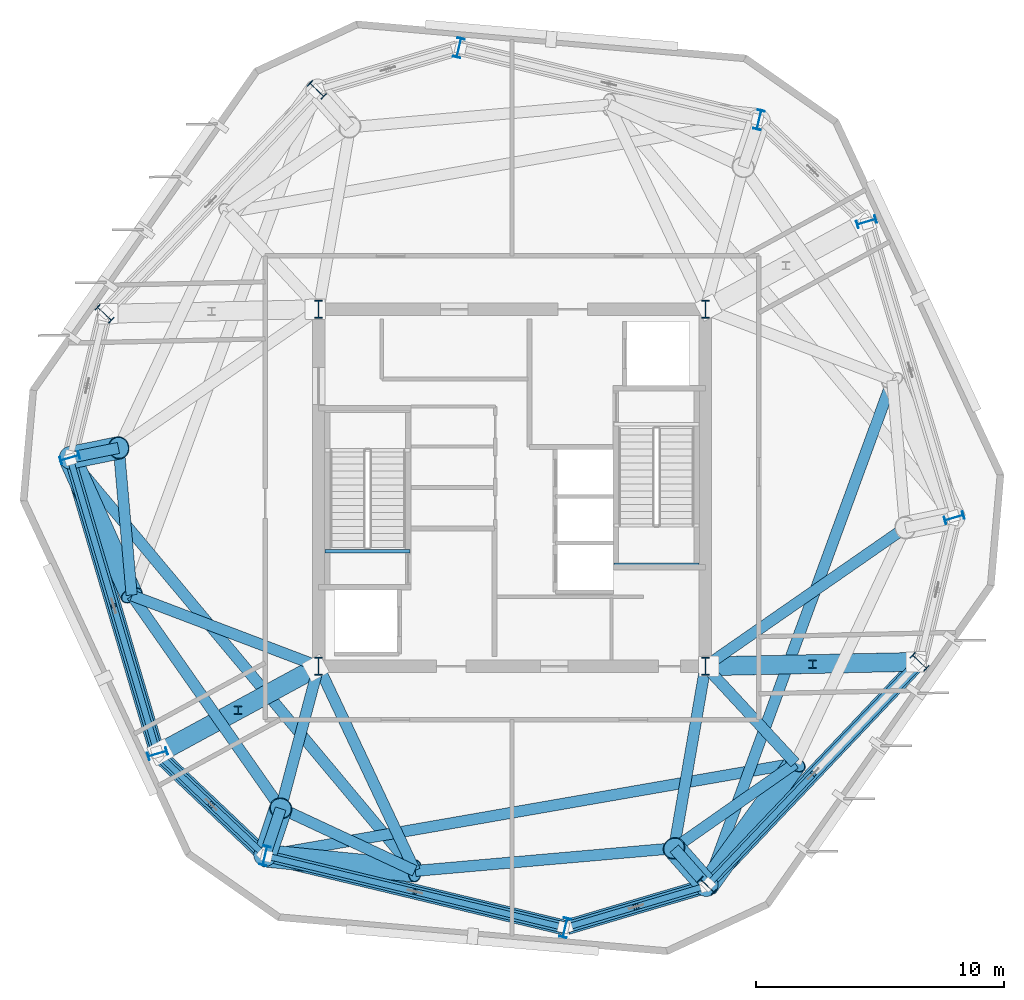
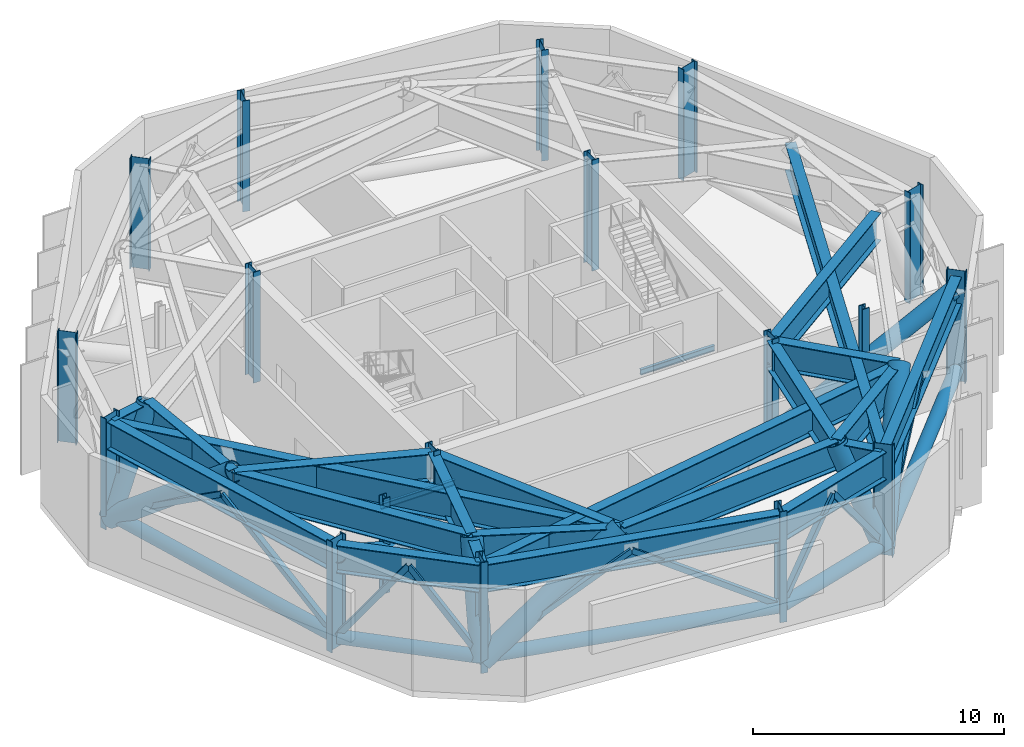
# One storey, part 1 of 10: 24 beams, 24 members, 16 columns.
"""IFC4 building model written with IfcOpenShell, lengths in metres."""

from ifc_helpers import new_model, si_unit, direction, frame, origin, origin_2d, place, context, subcontext, project, spatial, hollow_rectangle, hollow_circle, i_section, extrude, material, material_profile, profile_set, type_object, element, save


model = new_model("IFC4")

# Units and contexts
model_context = context("Model", 3, precision=1e-05, world=origin(), true_north=direction((0.0, 1.0)))
body_context = subcontext(model_context, "Body", "Model", "MODEL_VIEW")
ifc_project = project(units=[si_unit("LENGTHUNIT", "METRE"), si_unit("AREAUNIT", "SQUARE_METRE"), si_unit("VOLUMEUNIT", "CUBIC_METRE"), si_unit("PLANEANGLEUNIT", "RADIAN"), si_unit("MASSUNIT", "GRAM", prefix="KILO")], contexts=[model_context])

# Site, building, storey
site_placement = place(None, origin())
site = spatial("IfcSite", under=ifc_project, at=site_placement, CompositionType="ELEMENT")
building_placement = place(site_placement, origin())
building = spatial("IfcBuilding", under=site, at=building_placement, Name="Kranzbogen Civic Tower", CompositionType="ELEMENT")
storey_placement = place(building_placement, frame((0.0, 0.0, 244.800048828125)))
storey = spatial("IfcBuildingStorey", under=building, at=storey_placement, Name="L59", CompositionType="ELEMENT", Elevation=244.800048828125)

# Columns
ifc_material_1 = material(Name="Steel S355", Category="steel")
ifc_material_profile_1 = material_profile(ifc_material_1, i_section(OverallWidth=0.300048828125, OverallDepth=0.800048828125, WebThickness=0.017578125, FlangeThickness=0.032958984375, at=origin_2d()), Name="HEB 800")
ifc_profile_set_1 = profile_set([ifc_material_profile_1], Name="Steel S355")
column_type_1 = type_object("IfcColumnType", Name="Structural Column HEB 800", PredefinedType="COLUMN", material=ifc_profile_set_1)
for number, where, z_axis, x_axis, name in (
    (1, (34.9609375, 39.8349609375, 0.0), (0.0, 0.0, 1.0), (-0.972369920398, 0.233445363856, 0.0), "L59 tower perimeter tube column 01"),
    (2, (22.860107421875, 42.739990234375, 0.0), (0.0, 0.0, 1.0), (-0.972369920398, 0.233445363856, 0.0), "L59 tower perimeter tube column 02"),
    (3, (17.133056640625, 41.0439453125, 0.0), (0.0, 0.0, 1.0), (0.688354575694, 0.725374371012, 0.0), "L59 tower perimeter tube column 03"),
    (4, (8.56689453125, 32.01611328125, 0.0), (0.0, 0.0, 1.0), (0.688354575694, 0.725374371012, 0.0), "L59 tower perimeter tube column 04"),
    (5, (7.172119140625, 26.208984375, 0.0), (0.0, 0.0, 1.0), (-0.284015344704, 0.958819734868, 0.0), "L59 tower perimeter tube column 05"),
    (6, (10.70703125, 14.27587890625, 0.0), (0.0, 0.0, 1.0), (-0.284015344704, 0.958819734868, 0.0), "L59 tower perimeter tube column 06"),
    (7, (15.0390625, 10.1650390625, 0.0), (0.0, 0.0, 1.0), (-0.972369920398, 0.233445363856, 0.0), "L59 tower perimeter tube column 07"),
    (8, (27.139892578125, 7.260009765625, 0.0), (0.0, 0.0, 1.0), (-0.972369920398, 0.233445363856, 0.0), "L59 tower perimeter tube column 08"),
    (9, (32.866943359375, 8.9560546875, 0.0), (0.0, 0.0, 1.0), (0.688354575694, 0.725374371012, 0.0), "L59 tower perimeter tube column 09"),
    (10, (41.43310546875, 17.98388671875, 0.0), (0.0, 0.0, 1.0), (0.688354575694, 0.725374371012, 0.0), "L59 tower perimeter tube column 10"),
    (11, (42.827880859375, 23.791015625, 0.0), (0.0, 0.0, 1.0), (-0.284015344704, 0.958819734868, 0.0), "L59 tower perimeter tube column 11"),
    (12, (39.29296875, 35.72412109375, 0.0), (0.0, 0.0, 1.0), (-0.284015344704, 0.958819734868, 0.0), "L59 tower perimeter tube column 12"),
):
    element("IfcColumn", number, at=place(storey_placement, frame(where, z_axis=z_axis, x_axis=x_axis)), inside=storey, type_object=column_type_1, Name=name, PredefinedType="COLUMN", context=body_context, shape_type="SweptSolid", body=[
        extrude(i_section(OverallWidth=0.300048828125, OverallDepth=0.800048828125, WebThickness=0.017578125, FlangeThickness=0.032958984375, at=origin_2d()), origin(), (0.0, 0.0, 1.0), 5.39990234375),
    ])
ifc_material_2 = material(Name="Steel S460", Category="steel")
ifc_material_profile_2 = material_profile(ifc_material_2, i_section(OverallWidth=0.303955078125, OverallDepth=0.716064453125, WebThickness=0.02099609375, FlangeThickness=0.0400390625, at=origin_2d()), Name="HEM 700")
ifc_profile_set_2 = profile_set([ifc_material_profile_2], Name="Steel S460")
column_type_2 = type_object("IfcColumnType", Name="Structural Column HEM 700", PredefinedType="COLUMN", material=ifc_profile_set_2)
for number, where, z_axis, x_axis, name in (
    (13, (17.199951171875, 17.800048828125, 0.0), (0.0, 0.0, 1.0), (1.0, 0.0, 0.0), "L59 composite core corner column 1"),
    (14, (32.800048828125, 17.800048828125, 0.0), (0.0, 0.0, 1.0), (1.0, 0.0, 0.0), "L59 composite core corner column 2"),
    (15, (32.800048828125, 32.199951171875, 0.0), (0.0, 0.0, 1.0), (1.0, 0.0, 0.0), "L59 composite core corner column 3"),
    (16, (17.199951171875, 32.199951171875, 0.0), (0.0, 0.0, 1.0), (1.0, 0.0, 0.0), "L59 composite core corner column 4"),
):
    element("IfcColumn", number, at=place(storey_placement, frame(where, z_axis=z_axis, x_axis=x_axis)), inside=storey, type_object=column_type_2, Name=name, PredefinedType="COLUMN", context=body_context, shape_type="SweptSolid", body=[
        extrude(i_section(OverallWidth=0.303955078125, OverallDepth=0.716064453125, WebThickness=0.02099609375, FlangeThickness=0.0400390625, at=origin_2d()), origin(), (0.0, 0.0, 1.0), 5.39990234375),
    ])

# Members
ifc_material_profile_3 = material_profile(ifc_material_1, hollow_circle(Radius=0.304931640625, WallThickness=0.030029296875, at=origin_2d()), Name="CHS 610x30")
ifc_profile_set_3 = profile_set([ifc_material_profile_3], Name="Steel S355")
member_type_1 = type_object("IfcMemberType", Name="Belt Truss Bottom Chord CHS 610x30", PredefinedType="CHORD", material=ifc_profile_set_3)
member_1_placement = place(storey_placement, frame((10.764892578125, 14.220947265625, 0.550048828125), z_axis=(0.725367430989, -0.688361888879, 0.0), x_axis=(0.688361888879, 0.725367430989, 0.0)))
element("IfcMember", 17, at=member_1_placement, inside=storey, type_object=member_type_1, Name="RNG-1: L59 belt truss bottom chord 01", PredefinedType="CHORD", context=body_context, shape_type="SweptSolid", body=[
    extrude(hollow_circle(Radius=0.304931640625, WallThickness=0.030029296875, at=origin_2d()), origin(), (0.0, 0.0, 1.0), 5.812255859375),
])
member_2_placement = place(storey_placement, frame((15.116943359375, 10.14599609375, 0.550048828125), z_axis=(0.972384956716, -0.233382724195, 0.0), x_axis=(0.233382724195, 0.972384956716, 0.0)))
element("IfcMember", 18, at=member_2_placement, inside=storey, type_object=member_type_1, Name="RNG-1: L59 belt truss bottom chord 02", PredefinedType="CHORD", context=body_context, shape_type="SweptSolid", body=[
    extrude(hollow_circle(Radius=0.304931640625, WallThickness=0.030029296875, at=origin_2d()), origin(), (0.0, 0.0, 1.0), 12.2841796875),
])
member_3_placement = place(storey_placement, frame((27.217041015625, 7.282958984375, 0.550048828125), z_axis=(0.958850218904, 0.283912412037, 0.0), x_axis=(-0.283912412037, 0.958850218904, 0.0)))
element("IfcMember", 19, at=member_3_placement, inside=storey, type_object=member_type_1, Name="RNG-1: L59 belt truss bottom chord 03", PredefinedType="CHORD", context=body_context, shape_type="SweptSolid", body=[
    extrude(hollow_circle(Radius=0.304931640625, WallThickness=0.030029296875, at=origin_2d()), origin(), (0.0, 0.0, 1.0), 5.812255859375),
])
member_4_placement = place(storey_placement, frame((32.922119140625, 9.013916015625, 0.550048828125), z_axis=(0.688291808175, 0.725433930002, 0.0), x_axis=(-0.725433930002, 0.688291808175, 0.0)))
element("IfcMember", 20, at=member_4_placement, inside=storey, type_object=member_type_1, Name="RNG-1: L59 belt truss bottom chord 04", PredefinedType="CHORD", context=body_context, shape_type="SweptSolid", body=[
    extrude(hollow_circle(Radius=0.304931640625, WallThickness=0.030029296875, at=origin_2d()), origin(), (0.0, 0.0, 1.0), 12.28515625),
])
member_5_placement = place(storey_placement, frame((7.195068359375, 26.132080078125, 0.550048828125), z_axis=(0.284007808424, -0.958821967184, 0.0), x_axis=(0.958821967184, 0.284007808424, 0.0)))
element("IfcMember", 21, at=member_5_placement, inside=storey, type_object=member_type_1, Name="RNG-1: L59 belt truss bottom chord 12", PredefinedType="CHORD", context=body_context, shape_type="SweptSolid", body=[
    extrude(hollow_circle(Radius=0.304931640625, WallThickness=0.030029296875, at=origin_2d()), origin(), (0.0, 0.0, 1.0), 12.284912109375),
])
ifc_material_profile_4 = material_profile(ifc_material_2, hollow_circle(Radius=0.381103515625, WallThickness=0.031982421875, at=origin_2d()), Name="CHS 762x32")
ifc_profile_set_4 = profile_set([ifc_material_profile_4], Name="Steel S460")
member_type_2 = type_object("IfcMemberType", Name="Outrigger Truss Chord CHS 762x32", PredefinedType="CHORD", material=ifc_profile_set_4)
member_6_placement = place(storey_placement, frame((17.068115234375, 17.72802734375, 0.550048828125), z_axis=(-0.768660792644, -0.417108594268, 0.484954643693), x_axis=(0.476946653565, -0.878932244063, 0.0)))
element("IfcMember", 22, at=member_6_placement, inside=storey, type_object=member_type_2, Name="OUT-1: L59 radial outrigger strut 1", PredefinedType="CHORD", context=body_context, shape_type="SweptSolid", body=[
    extrude(hollow_circle(Radius=0.381103515625, WallThickness=0.031982421875, at=origin_2d()), origin(), (0.0, 0.0, 1.0), 8.103759765625),
])
member_7_placement = place(storey_placement, frame((32.949951171875, 17.802978515625, 0.550048828125), z_axis=(0.904293549718, 0.019314133298, 0.426474079158), x_axis=(-0.021353386296, 0.999771990453, 0.0)))
element("IfcMember", 23, at=member_7_placement, inside=storey, type_object=member_type_2, Name="OUT-1: L59 radial outrigger strut 2", PredefinedType="CHORD", context=body_context, shape_type="SweptSolid", body=[
    extrude(hollow_circle(Radius=0.381103515625, WallThickness=0.031982421875, at=origin_2d()), origin(), (0.0, 0.0, 1.0), 9.21484375),
])
ifc_material_profile_5 = material_profile(ifc_material_1, i_section(OverallWidth=0.31005859375, OverallDepth=0.340087890625, WebThickness=0.02099609375, FlangeThickness=0.0390625, at=origin_2d()), Name="HEM 300")
ifc_profile_set_5 = profile_set([ifc_material_profile_5], Name="Steel S355")
member_type_3 = type_object("IfcMemberType", Name="Outrigger Truss Vertical Post HEM 300", PredefinedType="POST", material=ifc_profile_set_5)
for number, where, z_axis, x_axis, name in (
    (24, (13.9541015625, 16.0380859375, 0.550048828125), (0.0, 0.0, 1.0), (1.0, 0.0, 0.0), "PST-3: L59 outrigger web post 1"),
    (25, (37.116943359375, 17.89208984375, 0.550048828125), (0.0, 0.0, 1.0), (1.0, 0.0, 0.0), "PST-3: L59 outrigger web post 2"),
):
    element("IfcMember", number, at=place(storey_placement, frame(where, z_axis=z_axis, x_axis=x_axis)), inside=storey, type_object=member_type_3, Name=name, PredefinedType="POST", context=body_context, shape_type="SweptSolid", body=[
        extrude(i_section(OverallWidth=0.31005859375, OverallDepth=0.340087890625, WebThickness=0.02099609375, FlangeThickness=0.0390625, at=origin_2d()), origin(), (0.0, 0.0, 1.0), 4.6298828125),
    ])
ifc_material_profile_6 = material_profile(ifc_material_2, hollow_circle(Radius=0.45703125, WallThickness=0.035888671875, at=origin_2d()), Name="CHS 914x36")
ifc_profile_set_6 = profile_set([ifc_material_profile_6], Name="Steel S460")
member_type_4 = type_object("IfcMemberType", Name="Portal Arch Thrust Strut CHS 914x36", PredefinedType="STRUT", material=ifc_profile_set_6)
member_8_placement = place(storey_placement, frame((7.172119140625, 26.208984375, 0.349853515625), z_axis=(0.323654558927, -0.720024459287, 0.613850555522), x_axis=(0.912090399557, 0.4099891499, 0.0)))
element("IfcMember", 26, at=member_8_placement, inside=storey, type_object=member_type_4, Name="STR-1: L59 inclined perimeter transfer strut 01", PredefinedType="STRUT", context=body_context, shape_type="SweptSolid", body=[
    extrude(hollow_circle(Radius=0.45703125, WallThickness=0.035888671875, at=origin_2d()), origin(), (0.0, 0.0, 1.0), 7.705322265625),
])
member_9_placement = place(storey_placement, frame((15.0390625, 10.1650390625, 0.349853515625), z_axis=(0.124290110433, 0.371350543935, 0.920136262718), x_axis=(-0.948294485072, 0.317391823434, 0.0)))
element("IfcMember", 27, at=member_9_placement, inside=storey, type_object=member_type_4, Name="STR-1: L59 inclined perimeter transfer strut 02", PredefinedType="STRUT", context=body_context, shape_type="SweptSolid", body=[
    extrude(hollow_circle(Radius=0.45703125, WallThickness=0.035888671875, at=origin_2d()), origin(), (0.0, 0.0, 1.0), 5.140625),
])
member_10_placement = place(storey_placement, frame((15.0390625, 10.1650390625, 0.349853515625), z_axis=(0.785393920747, -0.0798098869, 0.6138295946), x_axis=(0.101097022191, 0.994876571291, 0.0)))
element("IfcMember", 28, at=member_10_placement, inside=storey, type_object=member_type_4, Name="STR-1: L59 inclined perimeter transfer strut 03", PredefinedType="STRUT", context=body_context, shape_type="SweptSolid", body=[
    extrude(hollow_circle(Radius=0.45703125, WallThickness=0.035888671875, at=origin_2d()), origin(), (0.0, 0.0, 1.0), 7.705810546875),
])
member_11_placement = place(storey_placement, frame((32.866943359375, 8.9560546875, 0.349853515625), z_axis=(-0.25949632488, 0.293358125693, 0.920110138768), x_axis=(-0.749012763588, -0.662555567467, 0.0)))
element("IfcMember", 29, at=member_11_placement, inside=storey, type_object=member_type_4, Name="STR-1: L59 inclined perimeter transfer strut 04", PredefinedType="STRUT", context=body_context, shape_type="SweptSolid", body=[
    extrude(hollow_circle(Radius=0.45703125, WallThickness=0.035888671875, at=origin_2d()), origin(), (0.0, 0.0, 1.0), 5.140625),
])
member_12_placement = place(storey_placement, frame((32.866943359375, 8.9560546875, 0.349853515625), z_axis=(0.461758461529, 0.640296195213, 0.613840293238), x_axis=(-0.811086486954, 0.584926243796, 0.0)))
element("IfcMember", 30, at=member_12_placement, inside=storey, type_object=member_type_4, Name="STR-1: L59 inclined perimeter transfer strut 05", PredefinedType="STRUT", context=body_context, shape_type="SweptSolid", body=[
    extrude(hollow_circle(Radius=0.45703125, WallThickness=0.035888671875, at=origin_2d()), origin(), (0.0, 0.0, 1.0), 7.70556640625),
])
member_13_placement = place(storey_placement, frame((7.172119140625, 26.208984375, 0.349853515625), z_axis=(0.383786635251, 0.078030125197, 0.920119078252), x_axis=(-0.199240071338, 0.979950709971, 0.0)))
element("IfcMember", 31, at=member_13_placement, inside=storey, type_object=member_type_4, Name="STR-1: L59 inclined perimeter transfer strut 12", PredefinedType="STRUT", context=body_context, shape_type="SweptSolid", body=[
    extrude(hollow_circle(Radius=0.45703125, WallThickness=0.035888671875, at=origin_2d()), origin(), (0.0, 0.0, 1.0), 5.140625),
])

# Beams
ifc_material_profile_7 = material_profile(ifc_material_1, i_section(OverallWidth=0.135009765625, OverallDepth=0.27001953125, WebThickness=0.006591796875, FlangeThickness=0.01025390625, at=origin_2d()), Name="IPE 270")
ifc_profile_set_7 = profile_set([ifc_material_profile_7], Name="Steel S355")
beam_type_1 = type_object("IfcBeamType", Name="Stair Landing Support Beam IPE 270", PredefinedType="JOIST", material=ifc_profile_set_7)
for number, where, z_axis, x_axis, name in (
    (32, (20.8798828125, 22.43994140625, -0.43505859375), (-1.0, 0.0, 0.0), (0.0, -1.0, 0.0), "L59 ST-T1 stair floor header beam"),
    (33, (29.1201171875, 21.89990234375, 2.364990234375), (1.0, 0.0, 0.0), (0.0, 1.0, 0.0), "L59 ST-T2 landing support beam 1.2"),
):
    element("IfcBeam", number, at=place(storey_placement, frame(where, z_axis=z_axis, x_axis=x_axis)), inside=storey, type_object=beam_type_1, Name=name, PredefinedType="JOIST", context=body_context, shape_type="SweptSolid", body=[
        extrude(i_section(OverallWidth=0.135009765625, OverallDepth=0.27001953125, WebThickness=0.006591796875, FlangeThickness=0.01025390625, at=origin_2d()), origin(), (0.0, 0.0, 1.0), 3.409912109375),
    ])
ifc_material_profile_8 = material_profile(ifc_material_2, i_section(OverallWidth=0.449951171875, OverallDepth=1.35009765625, WebThickness=0.02392578125, FlangeThickness=0.0380859375, at=origin_2d()), Name="WPG 1350x450x24x38")
ifc_profile_set_8 = profile_set([ifc_material_profile_8], Name="Steel S460")
beam_type_2 = type_object("IfcBeamType", Name="Welded Transfer Girder WPG 1350x450x24x38", PredefinedType="BEAM", material=ifc_profile_set_8)
beam_1_placement = place(storey_placement, frame((10.7509765625, 14.235107421875, 4.454833984375), z_axis=(0.725245206788, -0.688490660816, 0.0), x_axis=(0.688490660816, 0.725245206788, 0.0)))
element("IfcBeam", 34, at=beam_1_placement, inside=storey, type_object=beam_type_2, Name="TG-1350: L59 lower perimeter transfer ring girder 01", PredefinedType="BEAM", context=body_context, shape_type="SweptSolid", body=[
    extrude(i_section(OverallWidth=0.449951171875, OverallDepth=1.35009765625, WebThickness=0.02392578125, FlangeThickness=0.0380859375, at=origin_2d()), origin(), (0.0, 0.0, 1.0), 5.85205078125),
])
beam_2_placement = place(storey_placement, frame((15.096923828125, 10.15087890625, 4.454833984375), z_axis=(0.972377592092, -0.233413406637, 0.0), x_axis=(0.233413406637, 0.972377592092, 0.0)))
element("IfcBeam", 35, at=beam_2_placement, inside=storey, type_object=beam_type_2, Name="TG-1350: L59 lower perimeter transfer ring girder 02", PredefinedType="BEAM", context=body_context, shape_type="SweptSolid", body=[
    extrude(i_section(OverallWidth=0.449951171875, OverallDepth=1.35009765625, WebThickness=0.02392578125, FlangeThickness=0.0380859375, at=origin_2d()), origin(), (0.0, 0.0, 1.0), 12.32568359375),
])
beam_3_placement = place(storey_placement, frame((27.197998046875, 7.277099609375, 4.454833984375), z_axis=(0.9588296723, 0.283981794341, 0.0), x_axis=(-0.283981794341, 0.9588296723, 0.0)))
element("IfcBeam", 36, at=beam_3_placement, inside=storey, type_object=beam_type_2, Name="TG-1350: L59 lower perimeter transfer ring girder 03", PredefinedType="BEAM", context=body_context, shape_type="SweptSolid", body=[
    extrude(i_section(OverallWidth=0.449951171875, OverallDepth=1.35009765625, WebThickness=0.02392578125, FlangeThickness=0.0380859375, at=origin_2d()), origin(), (0.0, 0.0, 1.0), 5.85205078125),
])
beam_4_placement = place(storey_placement, frame((32.907958984375, 9.0, 4.454833984375), z_axis=(0.688373497874, 0.725356414065, 0.0), x_axis=(-0.725356414065, 0.688373497874, 0.0)))
element("IfcBeam", 37, at=beam_4_placement, inside=storey, type_object=beam_type_2, Name="TG-1350: L59 lower perimeter transfer ring girder 04", PredefinedType="BEAM", context=body_context, shape_type="SweptSolid", body=[
    extrude(i_section(OverallWidth=0.449951171875, OverallDepth=1.35009765625, WebThickness=0.02392578125, FlangeThickness=0.0380859375, at=origin_2d()), origin(), (0.0, 0.0, 1.0), 12.324951171875),
])
beam_5_placement = place(storey_placement, frame((7.18896484375, 26.15087890625, 4.454833984375), z_axis=(0.284064048956, -0.958805306666, 0.0), x_axis=(0.958805306666, 0.284064048956, 0.0)))
element("IfcBeam", 38, at=beam_5_placement, inside=storey, type_object=beam_type_2, Name="TG-1350: L59 lower perimeter transfer ring girder 12", PredefinedType="BEAM", context=body_context, shape_type="SweptSolid", body=[
    extrude(i_section(OverallWidth=0.449951171875, OverallDepth=1.35009765625, WebThickness=0.02392578125, FlangeThickness=0.0380859375, at=origin_2d()), origin(), (0.0, 0.0, 1.0), 12.32470703125),
])
beam_6_placement = place(storey_placement, frame((9.675048828125, 20.64892578125, 4.5048828125), z_axis=(0.57344980336, -0.819240699078, 0.0), x_axis=(0.819240699078, 0.57344980336, 0.0)))
element("IfcBeam", 39, at=beam_6_placement, inside=storey, type_object=beam_type_2, Name="TG-1350: L59 upper perimeter transfer ring girder 01", PredefinedType="BEAM", context=body_context, shape_type="SweptSolid", body=[
    extrude(i_section(OverallWidth=0.449951171875, OverallDepth=1.35009765625, WebThickness=0.02392578125, FlangeThickness=0.0380859375, at=origin_2d()), origin(), (0.0, 0.0, 1.0), 10.452392578125),
])
beam_7_placement = place(storey_placement, frame((15.69189453125, 12.068115234375, 4.5048828125), z_axis=(0.906234565805, -0.422775249677, 0.0), x_axis=(0.422775249677, 0.906234565805, 0.0)))
element("IfcBeam", 40, at=beam_7_placement, inside=storey, type_object=beam_type_2, Name="TG-1350: L59 upper perimeter transfer ring girder 02", PredefinedType="BEAM", context=body_context, shape_type="SweptSolid", body=[
    extrude(i_section(OverallWidth=0.449951171875, OverallDepth=1.35009765625, WebThickness=0.02392578125, FlangeThickness=0.0380859375, at=origin_2d()), origin(), (0.0, 0.0, 1.0), 5.942138671875),
])
beam_8_placement = place(storey_placement, frame((21.10595703125, 9.551025390625, 4.5048828125), z_axis=(0.996187021082, 0.087243446908, 0.0), x_axis=(-0.087243446908, 0.996187021082, 0.0)))
element("IfcBeam", 41, at=beam_8_placement, inside=storey, type_object=beam_type_2, Name="TG-1350: L59 upper perimeter transfer ring girder 03", PredefinedType="BEAM", context=body_context, shape_type="SweptSolid", body=[
    extrude(i_section(OverallWidth=0.449951171875, OverallDepth=1.35009765625, WebThickness=0.02392578125, FlangeThickness=0.0380859375, at=origin_2d()), origin(), (0.0, 0.0, 1.0), 10.451904296875),
])
beam_9_placement = place(storey_placement, frame((31.544921875, 10.472900390625, 4.5048828125), z_axis=(0.819193317267, 0.573517487916, 0.0), x_axis=(-0.573517487916, 0.819193317267, 0.0)))
element("IfcBeam", 42, at=beam_9_placement, inside=storey, type_object=beam_type_2, Name="TG-1350: L59 upper perimeter transfer ring girder 04", PredefinedType="BEAM", context=body_context, shape_type="SweptSolid", body=[
    extrude(i_section(OverallWidth=0.449951171875, OverallDepth=1.35009765625, WebThickness=0.02392578125, FlangeThickness=0.0380859375, at=origin_2d()), origin(), (0.0, 0.0, 1.0), 5.942626953125),
])
beam_10_placement = place(storey_placement, frame((9.14599609375, 26.594970703125, 4.5048828125), z_axis=(0.087356563764, -0.996177108133, 0.0), x_axis=(0.996177108133, 0.087356563764, 0.0)))
element("IfcBeam", 43, at=beam_10_placement, inside=storey, type_object=beam_type_2, Name="TG-1350: L59 upper perimeter transfer ring girder 12", PredefinedType="BEAM", context=body_context, shape_type="SweptSolid", body=[
    extrude(i_section(OverallWidth=0.449951171875, OverallDepth=1.35009765625, WebThickness=0.02392578125, FlangeThickness=0.0380859375, at=origin_2d()), origin(), (0.0, 0.0, 1.0), 5.941650390625),
])
beam_11_placement = place(storey_placement, frame((17.14404296875, 17.821044921875, 4.5048828125), z_axis=(-0.934841847764, 0.355064388062, 0.0), x_axis=(-0.355064388062, -0.934841847764, 0.0)))
element("IfcBeam", 44, at=beam_11_placement, inside=storey, type_object=beam_type_2, Name="TG-1350: L59 radial column transfer girder 01", PredefinedType="BEAM", context=body_context, shape_type="SweptSolid", body=[
    extrude(i_section(OverallWidth=0.449951171875, OverallDepth=1.35009765625, WebThickness=0.02392578125, FlangeThickness=0.0380859375, at=origin_2d()), origin(), (0.0, 0.0, 1.0), 7.984375),
])
beam_12_placement = place(storey_placement, frame((17.18505859375, 17.741943359375, 4.5048828125), z_axis=(-0.256932731753, -0.966429289371, 0.0), x_axis=(0.966429289371, -0.256932731753, 0.0)))
element("IfcBeam", 45, at=beam_12_placement, inside=storey, type_object=beam_type_2, Name="TG-1350: L59 radial column transfer girder 02", PredefinedType="BEAM", context=body_context, shape_type="SweptSolid", body=[
    extrude(i_section(OverallWidth=0.449951171875, OverallDepth=1.35009765625, WebThickness=0.02392578125, FlangeThickness=0.0380859375, at=origin_2d()), origin(), (0.0, 0.0, 1.0), 5.850341796875),
])
beam_13_placement = place(storey_placement, frame((15.054931640625, 10.2119140625, 4.454833984375), z_axis=(0.317204769355, 0.948357071096, 0.0), x_axis=(-0.948357071096, 0.317204769355, 0.0)))
element("IfcBeam", 46, at=beam_13_placement, inside=storey, type_object=beam_type_2, Name="TG-1350: L59 perimeter column transfer girder 02", PredefinedType="BEAM", context=body_context, shape_type="SweptSolid", body=[
    extrude(i_section(OverallWidth=0.449951171875, OverallDepth=1.35009765625, WebThickness=0.02392578125, FlangeThickness=0.0380859375, at=origin_2d()), origin(), (0.0, 0.0, 1.0), 1.94873046875),
])
beam_14_placement = place(storey_placement, frame((17.22607421875, 17.74609375, 4.5048828125), z_axis=(0.426563694078, -0.904457525202, 0.0), x_axis=(0.904457525202, 0.426563694078, 0.0)))
element("IfcBeam", 47, at=beam_14_placement, inside=storey, type_object=beam_type_2, Name="TG-1350: L59 radial column transfer girder 03", PredefinedType="BEAM", context=body_context, shape_type="SweptSolid", body=[
    extrude(i_section(OverallWidth=0.449951171875, OverallDepth=1.35009765625, WebThickness=0.02392578125, FlangeThickness=0.0380859375, at=origin_2d()), origin(), (0.0, 0.0, 1.0), 9.04638671875),
])
beam_15_placement = place(storey_placement, frame((7.2041015625, 26.1708984375, 4.454833984375), z_axis=(0.641171357955, -0.767397738945, 0.0), x_axis=(0.767397738945, 0.641171357955, 0.0)))
element("IfcBeam", 48, at=beam_15_placement, inside=storey, type_object=beam_type_2, Name="TG-1350: L59 perimeter column transfer girder 03", PredefinedType="BEAM", context=body_context, shape_type="SweptSolid", body=[
    extrude(i_section(OverallWidth=0.449951171875, OverallDepth=1.35009765625, WebThickness=0.02392578125, FlangeThickness=0.0380859375, at=origin_2d()), origin(), (0.0, 0.0, 1.0), 21.64306640625),
])
beam_16_placement = place(storey_placement, frame((32.7900390625, 17.740966796875, 4.5048828125), z_axis=(-0.170182038615, -0.98541264135, 0.0), x_axis=(0.98541264135, -0.170182038615, 0.0)))
element("IfcBeam", 49, at=beam_16_placement, inside=storey, type_object=beam_type_2, Name="TG-1350: L59 radial column transfer girder 04", PredefinedType="BEAM", context=body_context, shape_type="SweptSolid", body=[
    extrude(i_section(OverallWidth=0.449951171875, OverallDepth=1.35009765625, WebThickness=0.02392578125, FlangeThickness=0.0380859375, at=origin_2d()), origin(), (0.0, 0.0, 1.0), 7.369384765625),
])
beam_17_placement = place(storey_placement, frame((32.833984375, 8.992919921875, 4.454833984375), z_axis=(-0.662433317457, 0.749120884719, 0.0), x_axis=(-0.749120884719, -0.662433317457, 0.0)))
element("IfcBeam", 50, at=beam_17_placement, inside=storey, type_object=beam_type_2, Name="TG-1350: L59 perimeter column transfer girder 04", PredefinedType="BEAM", context=body_context, shape_type="SweptSolid", body=[
    extrude(i_section(OverallWidth=0.449951171875, OverallDepth=1.35009765625, WebThickness=0.02392578125, FlangeThickness=0.0380859375, at=origin_2d()), origin(), (0.0, 0.0, 1.0), 1.948974609375),
])
beam_18_placement = place(storey_placement, frame((32.841064453125, 17.756103515625, 4.5048828125), z_axis=(0.679850572729, -0.733350665617, 0.0), x_axis=(0.733350665617, 0.679850572729, 0.0)))
element("IfcBeam", 51, at=beam_18_placement, inside=storey, type_object=beam_type_2, Name="TG-1350: L59 radial column transfer girder 05", PredefinedType="BEAM", context=body_context, shape_type="SweptSolid", body=[
    extrude(i_section(OverallWidth=0.449951171875, OverallDepth=1.35009765625, WebThickness=0.02392578125, FlangeThickness=0.0380859375, at=origin_2d()), origin(), (0.0, 0.0, 1.0), 5.257080078125),
])
beam_19_placement = place(storey_placement, frame((15.087890625, 10.174072265625, 4.454833984375), z_axis=(0.985174972485, 0.171552538862, 0.0), x_axis=(-0.171552538862, 0.985174972485, 0.0)))
element("IfcBeam", 52, at=beam_19_placement, inside=storey, type_object=beam_type_2, Name="TG-1350: L59 perimeter column transfer girder 05", PredefinedType="BEAM", context=body_context, shape_type="SweptSolid", body=[
    extrude(i_section(OverallWidth=0.449951171875, OverallDepth=1.35009765625, WebThickness=0.02392578125, FlangeThickness=0.0380859375, at=origin_2d()), origin(), (0.0, 0.0, 1.0), 21.642822265625),
])
beam_20_placement = place(storey_placement, frame((32.84912109375, 17.833984375, 4.5048828125), z_axis=(0.821572043962, 0.570104706681, 0.0), x_axis=(-0.570104706681, 0.821572043962, 0.0)))
element("IfcBeam", 53, at=beam_20_placement, inside=storey, type_object=beam_type_2, Name="TG-1350: L59 radial column transfer girder 06", PredefinedType="BEAM", context=body_context, shape_type="SweptSolid", body=[
    extrude(i_section(OverallWidth=0.449951171875, OverallDepth=1.35009765625, WebThickness=0.02392578125, FlangeThickness=0.0380859375, at=origin_2d()), origin(), (0.0, 0.0, 1.0), 9.72998046875),
])
beam_21_placement = place(storey_placement, frame((32.884033203125, 9.0029296875, 4.454833984375), z_axis=(0.34399643493, 0.93897095416, 0.0), x_axis=(-0.93897095416, 0.34399643493, 0.0)))
element("IfcBeam", 54, at=beam_21_placement, inside=storey, type_object=beam_type_2, Name="TG-1350: L59 perimeter column transfer girder 07", PredefinedType="BEAM", context=body_context, shape_type="SweptSolid", body=[
    extrude(i_section(OverallWidth=0.449951171875, OverallDepth=1.35009765625, WebThickness=0.02392578125, FlangeThickness=0.0380859375, at=origin_2d()), origin(), (0.0, 0.0, 1.0), 21.642822265625),
])
beam_22_placement = place(storey_placement, frame((7.220947265625, 26.218994140625, 4.454833984375), z_axis=(0.979968596305, 0.199152078211, 0.0), x_axis=(-0.199152078211, 0.979968596305, 0.0)))
element("IfcBeam", 55, at=beam_22_placement, inside=storey, type_object=beam_type_2, Name="TG-1350: L59 perimeter column transfer girder 12", PredefinedType="BEAM", context=body_context, shape_type="SweptSolid", body=[
    extrude(i_section(OverallWidth=0.449951171875, OverallDepth=1.35009765625, WebThickness=0.02392578125, FlangeThickness=0.0380859375, at=origin_2d()), origin(), (0.0, 0.0, 1.0), 1.947998046875),
])

# Members
ifc_material_profile_9 = material_profile(ifc_material_1, hollow_rectangle(XDim=0.25, YDim=0.25, WallThickness=0.01611328125, at=origin_2d()), Name="SHS 250x250x16")
ifc_profile_set_9 = profile_set([ifc_material_profile_9], Name="Steel S355")
member_type_5 = type_object("IfcMemberType", Name="Zone 3 Belt Truss Diagonal SHS 250x250x16", PredefinedType="BRACE", material=ifc_profile_set_9)
member_14_placement = place(storey_placement, frame((10.764892578125, 14.220947265625, 0.64990234375), z_axis=(0.434881804955, -0.412571134475, 0.800414189478), x_axis=(0.688252495494, 0.725471227855, 0.0)))
element("IfcMember", 56, at=member_14_placement, inside=storey, type_object=member_type_5, Name="DG-250: L59 belt truss diagonal 01A", PredefinedType="BRACE", context=body_context, shape_type="SweptSolid", body=[
    extrude(hollow_rectangle(XDim=0.25, YDim=0.25, WallThickness=0.01611328125, at=origin_2d()), origin(), (0.0, 0.0, 1.0), 4.84765625),
])
member_15_placement = place(storey_placement, frame((14.98095703125, 10.219970703125, 0.64990234375), z_axis=(-0.434804818893, 0.412747312445, 0.800365182612), x_axis=(-0.688471247977, -0.725263635314, 0.0)))
element("IfcMember", 57, at=member_15_placement, inside=storey, type_object=member_type_5, Name="DG-250: L59 belt truss diagonal 01B", PredefinedType="BRACE", context=body_context, shape_type="SweptSolid", body=[
    extrude(hollow_rectangle(XDim=0.25, YDim=0.25, WallThickness=0.01611328125, at=origin_2d()), origin(), (0.0, 0.0, 1.0), 4.847900390625),
])
member_16_placement = place(storey_placement, frame((15.116943359375, 10.14599609375, 0.64990234375), z_axis=(0.822123254933, -0.197247752246, 0.53404744914), x_axis=(0.233303803809, 0.97240389506, 0.0)))
element("IfcMember", 58, at=member_16_placement, inside=storey, type_object=member_type_5, Name="DG-250: L59 belt truss diagonal 02A", PredefinedType="BRACE", context=body_context, shape_type="SweptSolid", body=[
    extrude(hollow_rectangle(XDim=0.25, YDim=0.25, WallThickness=0.01611328125, at=origin_2d()), origin(), (0.0, 0.0, 1.0), 7.265625),
])
member_17_placement = place(storey_placement, frame((27.06201171875, 7.279052734375, 0.64990234375), z_axis=(-0.822052433901, 0.197371895846, 0.534110597767), x_axis=(-0.2334616561, -0.972366008832, 0.0)))
element("IfcMember", 59, at=member_17_placement, inside=storey, type_object=member_type_5, Name="DG-250: L59 belt truss diagonal 02B", PredefinedType="BRACE", context=body_context, shape_type="SweptSolid", body=[
    extrude(hollow_rectangle(XDim=0.25, YDim=0.25, WallThickness=0.01611328125, at=origin_2d()), origin(), (0.0, 0.0, 1.0), 7.2646484375),
])
member_18_placement = place(storey_placement, frame((27.217041015625, 7.282958984375, 0.64990234375), z_axis=(0.574720350921, 0.170184915061, 0.800458376758), x_axis=(-0.283930971845, 0.95884472321, 0.0)))
element("IfcMember", 60, at=member_18_placement, inside=storey, type_object=member_type_5, Name="DG-250: L59 belt truss diagonal 03A", PredefinedType="BRACE", context=body_context, shape_type="SweptSolid", body=[
    extrude(hollow_rectangle(XDim=0.25, YDim=0.25, WallThickness=0.01611328125, at=origin_2d()), origin(), (0.0, 0.0, 1.0), 4.847412109375),
])
member_19_placement = place(storey_placement, frame((32.7900390625, 8.93310546875, 0.64990234375), z_axis=(-0.574884035336, -0.170209183553, 0.800335666924), x_axis=(0.283893860039, -0.958855711894, 0.0)))
element("IfcMember", 61, at=member_19_placement, inside=storey, type_object=member_type_5, Name="DG-250: L59 belt truss diagonal 03B", PredefinedType="BRACE", context=body_context, shape_type="SweptSolid", body=[
    extrude(hollow_rectangle(XDim=0.25, YDim=0.25, WallThickness=0.01611328125, at=origin_2d()), origin(), (0.0, 0.0, 1.0), 4.84814453125),
])
member_20_placement = place(storey_placement, frame((32.922119140625, 9.013916015625, 0.64990234375), z_axis=(0.581906890002, 0.613325896883, 0.534055910539), x_axis=(-0.725443852717, 0.688281349852, 0.0)))
element("IfcMember", 62, at=member_20_placement, inside=storey, type_object=member_type_5, Name="DG-250: L59 belt truss diagonal 04A", PredefinedType="BRACE", context=body_context, shape_type="SweptSolid", body=[
    extrude(hollow_rectangle(XDim=0.25, YDim=0.25, WallThickness=0.01611328125, at=origin_2d()), origin(), (0.0, 0.0, 1.0), 7.265380859375),
])
member_21_placement = place(storey_placement, frame((7.195068359375, 26.132080078125, 0.64990234375), z_axis=(0.24001796968, -0.810678081548, 0.534034102215), x_axis=(0.958857031061, 0.283889404496, 0.0)))
element("IfcMember", 63, at=member_21_placement, inside=storey, type_object=member_type_5, Name="DG-250: L59 belt truss diagonal 12A", PredefinedType="BRACE", context=body_context, shape_type="SweptSolid", body=[
    extrude(hollow_rectangle(XDim=0.25, YDim=0.25, WallThickness=0.01611328125, at=origin_2d()), origin(), (0.0, 0.0, 1.0), 7.265625),
])
member_22_placement = place(storey_placement, frame((10.68408203125, 14.35302734375, 0.64990234375), z_axis=(-0.240209003538, 0.810587769215, 0.53408529564), x_axis=(-0.95878688398, -0.2841262239, 0.0)))
element("IfcMember", 64, at=member_22_placement, inside=storey, type_object=member_type_5, Name="DG-250: L59 belt truss diagonal 12B", PredefinedType="BRACE", context=body_context, shape_type="SweptSolid", body=[
    extrude(hollow_rectangle(XDim=0.25, YDim=0.25, WallThickness=0.01611328125, at=origin_2d()), origin(), (0.0, 0.0, 1.0), 7.264892578125),
])

save(model, "model.ifc")
